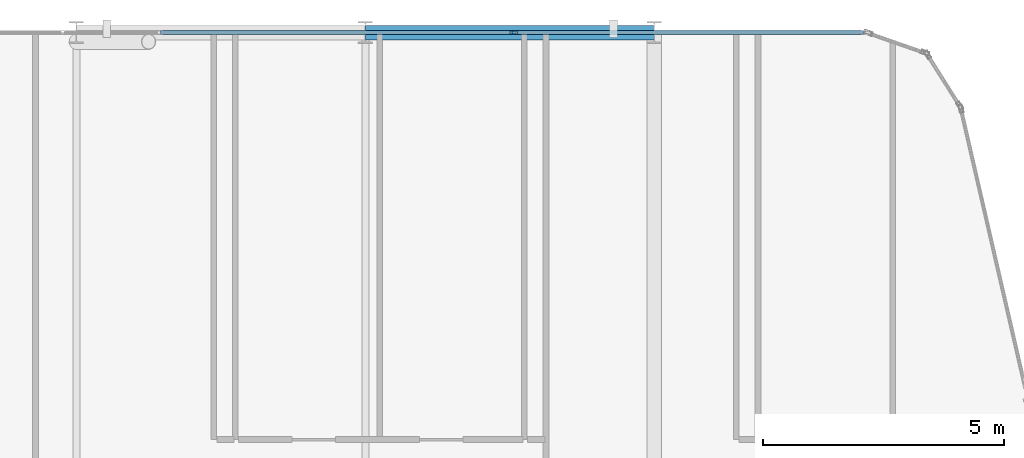
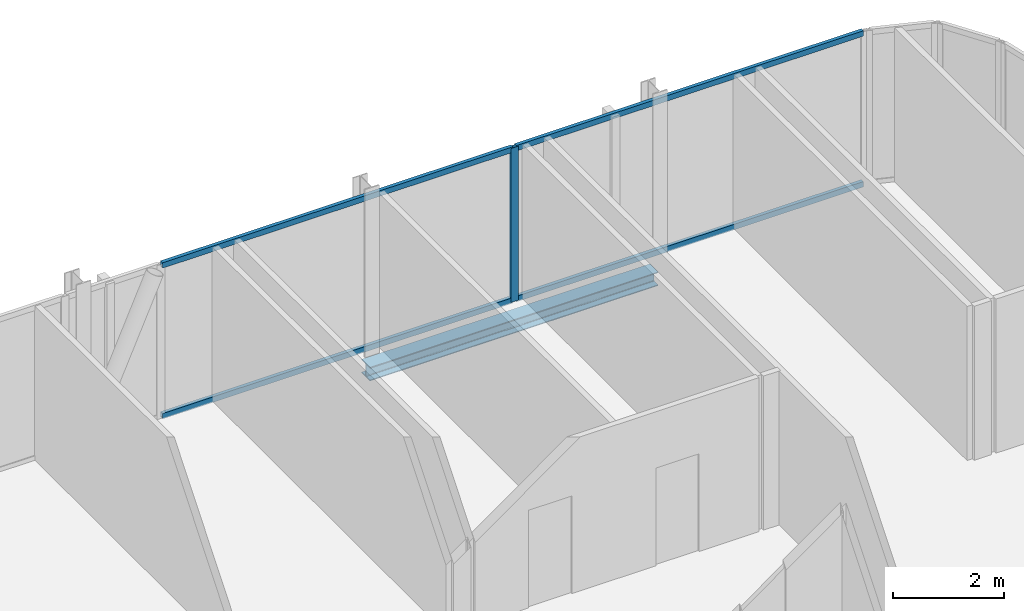
# One storey, part 19 of 29: 5 members, 1 beam, 1 element without a shape of its own.
"""IFC4 building model written with IfcOpenShell, lengths in metres."""

import ifcopenshell
import ifcopenshell.guid

model = None  # the IFC model being written
_history = None  # IfcOwnerHistory: only IFC2X3 demands one
_inside = {}  # id of a spatial element -> (the spatial element, [elements in it])
_under = {}  # id of a project, library or spatial element -> (it, [spatial elements below it])
_declared = {}  # id of a project -> (the project, [libraries it declares])
_typed = {}  # id of a type object -> (the type object, [elements of that type])
_made_of = {}  # id of a material, layer set ... -> (it, [elements and type objects made of it])


def new_model(schema):
    """Start an empty IFC model of exactly this schema.

    Asked for "IFC4X3", IfcOpenShell would pick the latest addendum, in which some entities
    have other attributes; the version numbers below select the first issue.
    IFC2X3 requires an IfcOwnerHistory on every rooted entity: one is made here for all.
    """
    global model, _history
    if schema == "IFC4X3":
        model = ifcopenshell.file(schema_version=(4, 3, 0, 0))
    else:
        model = ifcopenshell.file(schema=schema)
    _inside.clear()
    _under.clear()
    _declared.clear()
    _typed.clear()
    _made_of.clear()
    _history = None
    if model.schema == "IFC2X3":
        org = make("IfcOrganization", Name="unknown")
        user = make(
            "IfcPersonAndOrganization",
            ThePerson=make("IfcPerson", FamilyName="unknown"),
            TheOrganization=org,
        )
        app = make(
            "IfcApplication",
            ApplicationDeveloper=org,
            Version="unknown",
            ApplicationFullName="unknown",
            ApplicationIdentifier="unknown",
        )
        _history = make(
            "IfcOwnerHistory",
            OwningUser=user,
            OwningApplication=app,
            ChangeAction="ADDED",
            CreationDate=0,
        )
    return model


def make(cls, **values):
    """One entity of the class cls with the attributes given. An attribute that is None is left unset."""
    return model.create_entity(
        cls, **{name: value for name, value in values.items() if value is not None}
    )


def rooted(cls, **values):
    """An entity with a GlobalId (a new one), such as an element, a storey or a relation."""
    return make(cls, GlobalId=ifcopenshell.guid.new(), OwnerHistory=_history, **values)


def si_unit(unit_type, name, prefix=None):
    """IfcSIUnit, for example si_unit("LENGTHUNIT", "METRE", prefix="MILLI")."""
    return make("IfcSIUnit", UnitType=unit_type, Prefix=prefix, Name=name)


def assignment(units):
    """IfcUnitAssignment: the units of a project."""
    return None if units is None else make("IfcUnitAssignment", Units=units)


def point(xyz):
    """IfcCartesianPoint."""
    return None if xyz is None else make("IfcCartesianPoint", Coordinates=xyz)


def direction(xyz):
    """IfcDirection."""
    return None if xyz is None else make("IfcDirection", DirectionRatios=xyz)


def frame(location, z_axis=None, x_axis=None):
    """IfcAxis2Placement3D, a coordinate frame: its origin and axes. An axis left out is left unset."""
    return make(
        "IfcAxis2Placement3D",
        Location=point(location),
        Axis=direction(z_axis),
        RefDirection=direction(x_axis),
    )


def frame_2d(location, x_axis=None):
    """IfcAxis2Placement2D, a coordinate frame in the plane: its origin and x axis."""
    return make(
        "IfcAxis2Placement2D", Location=point(location), RefDirection=direction(x_axis)
    )


def origin():
    """The frame at (0, 0, 0) with its axes left unset."""
    return frame((0.0, 0.0, 0.0))


def origin_2d():
    """The frame at (0, 0) in the plane with its x axis left unset."""
    return frame_2d((0.0, 0.0))


def place(relative_to, where):
    """IfcLocalPlacement: puts the frame where relative to a parent placement (None: the world)."""
    return make(
        "IfcLocalPlacement", PlacementRelTo=relative_to, RelativePlacement=where
    )


def context(
    kind, dimensions, precision=None, world=None, true_north=None, identifier=None
):
    """IfcGeometricRepresentationContext, for example the 3D "Model" context."""
    return make(
        "IfcGeometricRepresentationContext",
        ContextIdentifier=identifier,
        ContextType=kind,
        CoordinateSpaceDimension=dimensions,
        Precision=precision,
        WorldCoordinateSystem=world,
        TrueNorth=true_north,
    )


def subcontext(parent, identifier, kind, view, scale=None):
    """IfcGeometricRepresentationSubContext, for example "Body" below "Model"."""
    return make(
        "IfcGeometricRepresentationSubContext",
        ContextIdentifier=identifier,
        ContextType=kind,
        ParentContext=parent,
        TargetScale=scale,
        TargetView=view,
    )


def project(units=None, contexts=None):
    """IfcProject with its units and contexts."""
    return rooted(
        "IfcProject",
        Name="project",
        RepresentationContexts=contexts,
        UnitsInContext=assignment(units),
    )


def spatial(cls, under=None, at=None, **own):
    """A site, building, storey or space (cls), placed at a placement, below another one or the project."""
    s = rooted(cls, ObjectPlacement=at, **own)
    if under is not None:
        _under.setdefault(under.id(), (under, []))[1].append(s)
    return s


def profile(cls, at=None, kind="AREA", **sizes):
    """A parametric profile (cls). Its sizes go by their IFC names, for example OverallWidth=200.0."""
    return make(cls, ProfileType=kind, Position=at, **sizes)


def hollow_rectangle(**sizes):
    """IfcRectangleHollowProfileDef."""
    return profile("IfcRectangleHollowProfileDef", **sizes)


def i_section(**sizes):
    """IfcIShapeProfileDef."""
    return profile("IfcIShapeProfileDef", **sizes)


def extrude(swept, where, along, depth):
    """IfcExtrudedAreaSolid: the profile swept, set in the frame where, extruded along a direction by depth."""
    return make(
        "IfcExtrudedAreaSolid",
        SweptArea=swept,
        Position=where,
        ExtrudedDirection=direction(along),
        Depth=depth,
    )


def shape(context_of_items, identifier, shape_type, items):
    """IfcShapeRepresentation: the items that make up one representation, for example the "Body"."""
    return make(
        "IfcShapeRepresentation",
        ContextOfItems=context_of_items,
        RepresentationIdentifier=identifier,
        RepresentationType=shape_type,
        Items=items,
    )


def material(Name=None, Category=None):
    """IfcMaterial."""
    return make("IfcMaterial", Name=Name, Category=Category)


def layer(
    of_material, thickness, ventilated=None, Name=None, Category=None, Priority=None
):
    """IfcMaterialLayer: one layer of a wall or slab, of a material (None: an air gap)."""
    return make(
        "IfcMaterialLayer",
        Material=of_material,
        LayerThickness=thickness,
        IsVentilated=ventilated,
        Name=Name,
        Category=Category,
        Priority=Priority,
    )


def layer_set(layers, Name=None):
    """IfcMaterialLayerSet."""
    return make("IfcMaterialLayerSet", MaterialLayers=layers, LayerSetName=Name)


def material_profile(
    of_material, cross_section, Name=None, Category=None, Priority=None
):
    """IfcMaterialProfile: a cross section and its material."""
    return make(
        "IfcMaterialProfile",
        Name=Name,
        Material=of_material,
        Profile=cross_section,
        Priority=Priority,
        Category=Category,
    )


def profile_set(profiles, Name=None, composite=None):
    """IfcMaterialProfileSet."""
    return make(
        "IfcMaterialProfileSet",
        Name=Name,
        MaterialProfiles=profiles,
        CompositeProfile=composite,
    )


def made_of(thing, what):
    """Note that an element or type object is made of a material, layer set ...; save() writes the relation."""
    if what is not None:
        _made_of.setdefault(what.id(), (what, []))[1].append(thing)
    return thing


def type_object(cls, material=None, **own):
    """A type object (cls), such as IfcWallType, which elements share."""
    return made_of(rooted(cls, **own), material)


def element(
    cls,
    number,
    at=None,
    inside=None,
    cuts=None,
    type_object=None,
    material=None,
    context=None,
    identifier="Body",
    shape_type=None,
    held_by="IfcProductDefinitionShape",
    body=None,
    shapes=None,
    **own,
):
    """One element of the class cls, such as IfcWall. Its Tag is "e" and its number.

    at: its placement. inside: the storey or other place that contains it. cuts: it is an
    opening in that element (IfcRelVoidsElement). A single representation is given by context,
    identifier, shape_type and body (its items); several are given by shapes. held_by: the class
    of the entity that holds the representations. save() writes the other relations.
    """
    e = rooted(cls, Tag="e%d" % number, ObjectPlacement=at, **own)
    if body is not None:
        shapes = [shape(context, identifier, shape_type, body)]
    if shapes is not None:
        e.Representation = make(held_by, Representations=shapes)
    if inside is not None:
        _inside.setdefault(inside.id(), (inside, []))[1].append(e)
    if cuts is not None:
        rooted(
            "IfcRelVoidsElement", RelatingBuildingElement=cuts, RelatedOpeningElement=e
        )
    if type_object is not None:
        _typed.setdefault(type_object.id(), (type_object, []))[1].append(e)
    return made_of(e, material)


def aggregate(whole, parts):
    """IfcRelAggregates: a whole, such as a stair, and the parts it consists of."""
    return rooted("IfcRelAggregates", RelatingObject=whole, RelatedObjects=parts)


def save(model, path):
    """Write the relations noted so far, then the file.

    IfcRelAggregates (storeys below a building ...), IfcRelContainedInSpatialStructure (elements
    in a storey), IfcRelDefinesByType, IfcRelAssociatesMaterial and IfcRelDeclares: one each for
    every whole, place, type object, material and project.
    """
    for whole, parts in _under.values():
        aggregate(whole, parts)
    for where, things in _inside.values():
        rooted(
            "IfcRelContainedInSpatialStructure",
            RelatedElements=things,
            RelatingStructure=where,
        )
    for kind, things in _typed.values():
        rooted("IfcRelDefinesByType", RelatedObjects=things, RelatingType=kind)
    for what, things in _made_of.values():
        rooted("IfcRelAssociatesMaterial", RelatedObjects=things, RelatingMaterial=what)
    for by, libraries in _declared.values():
        rooted("IfcRelDeclares", RelatingContext=by, RelatedDefinitions=libraries)
    model.write(path)


model = new_model("IFC4")

# Units and contexts
model_context = context("Model", 3, precision=1e-05, world=origin(), true_north=direction((0.0, 1.0)))
body_context = subcontext(model_context, "Body", "Model", "MODEL_VIEW")
ifc_project = project(units=[si_unit("LENGTHUNIT", "METRE"), si_unit("AREAUNIT", "SQUARE_METRE"), si_unit("VOLUMEUNIT", "CUBIC_METRE"), si_unit("PLANEANGLEUNIT", "RADIAN"), si_unit("MASSUNIT", "GRAM", prefix="KILO")], contexts=[model_context])

# Site, building, storey
site_placement = place(None, origin())
site = spatial("IfcSite", under=ifc_project, at=site_placement, CompositionType="ELEMENT")
building_placement = place(site_placement, origin())
building = spatial("IfcBuilding", under=site, at=building_placement, Name="Keshet Zoharim Tower", CompositionType="ELEMENT")
storey_placement = place(building_placement, frame((0.0, 0.0, 195.800048828125)))
storey = spatial("IfcBuildingStorey", under=building, at=storey_placement, Name="L48", CompositionType="ELEMENT", Elevation=195.800048828125)

# Beam
ifc_material_1 = material(Name="Steel S355", Category="steel")
ifc_material_profile_1 = material_profile(ifc_material_1, i_section(OverallWidth=0.300048828125, OverallDepth=0.300048828125, WebThickness=0.010986328125, FlangeThickness=0.01904296875, FilletRadius=0.027099609375, at=origin_2d()), Name="HEB300")
ifc_profile_set_1 = profile_set([ifc_material_profile_1], Name="Steel S355")
beam_type = type_object("IfcBeamType", Name="BM-PRI-HB300", PredefinedType="BEAM", material=ifc_profile_set_1)
beam_placement = place(storey_placement, frame((27.0, 53.89990234375, -0.4599609375), z_axis=(1.0, 0.0, 0.0), x_axis=(0.0, 1.0, 0.0)))
element("IfcBeam", 1, at=beam_placement, inside=storey, type_object=beam_type, Name="L48 Primary Girder X-020", PredefinedType="BEAM", context=body_context, shape_type="SweptSolid", body=[
    extrude(i_section(OverallWidth=0.300048828125, OverallDepth=0.300048828125, WebThickness=0.010986328125, FlangeThickness=0.01904296875, FilletRadius=0.027099609375, at=origin_2d()), origin(), (0.0, 0.0, 1.0), 6.0),
])

# Curtain wall, members
ifc_material_2 = material(Name="Aluminium 6063-T6", Category="aluminium")
ifc_layer = layer(ifc_material_2, 0.139892578125)
ifc_layer_set = layer_set([ifc_layer], Name="Aluminium 6063-T6")
curtain_wall_type = type_object("IfcCurtainWallType", Name="CW-SYS-05", PredefinedType="NOTDEFINED", material=ifc_layer_set)
curtain_wall_placement = place(storey_placement, origin())
curtain_wall = element("IfcCurtainWall", 2, at=curtain_wall_placement, inside=storey, type_object=curtain_wall_type, Name="L48 Unitised Curtain Wall 16 Part 3", PredefinedType="NOTDEFINED")
ifc_material_profile_2 = material_profile(ifc_material_2, hollow_rectangle(XDim=0.074951171875, YDim=0.159912109375, WallThickness=0.00390625, at=origin_2d()), Name="MUL-75x160")
ifc_profile_set_2 = profile_set([ifc_material_profile_2], Name="Aluminium 6063-T6")
member_type_1 = type_object("IfcMemberType", Name="CWM-M15", PredefinedType="MULLION", material=ifc_profile_set_2)
member_1_placement = place(storey_placement, frame((30.07861328125, 53.89990234375, 0.0), z_axis=(0.0, 0.0, 1.0), x_axis=(0.0, 1.0, 0.0)))
member_1 = element("IfcMember", 3, at=member_1_placement, type_object=member_type_1, Name="CW-05 mullion 2", PredefinedType="MULLION", context=body_context, shape_type="SweptSolid", body=[
    extrude(hollow_rectangle(XDim=0.074951171875, YDim=0.159912109375, WallThickness=0.00390625, at=origin_2d()), origin(), (0.0, 0.0, 1.0), 3.389892578125),
])
ifc_material_profile_3 = material_profile(ifc_material_2, hollow_rectangle(XDim=0.074951171875, YDim=0.1201171875, WallThickness=0.00390625, at=origin_2d()), Name="TRN-75x120")
ifc_profile_set_3 = profile_set([ifc_material_profile_3], Name="Aluminium 6063-T6")
member_type_2 = type_object("IfcMemberType", Name="CWT-T12", PredefinedType="USERDEFINED", material=ifc_profile_set_3)
member_2_placement = place(storey_placement, frame((22.748046875, 53.89990234375, 0.034912109375), z_axis=(1.0, 0.0, 0.0), x_axis=(0.0, 1.0, 0.0)))
member_2 = element("IfcMember", 4, at=member_2_placement, type_object=member_type_2, Name="CW-05 transom 1.1", ObjectType="TRANSOM", PredefinedType="USERDEFINED", context=body_context, shape_type="SweptSolid", body=[
    extrude(hollow_rectangle(XDim=0.074951171875, YDim=0.1201171875, WallThickness=0.00390625, at=origin_2d()), origin(), (0.0, 0.0, 1.0), 7.29541015625),
])
member_3_placement = place(storey_placement, frame((22.748046875, 53.89990234375, 3.35498046875), z_axis=(1.0, 0.0, 0.0), x_axis=(0.0, 1.0, 0.0)))
member_3 = element("IfcMember", 5, at=member_3_placement, type_object=member_type_2, Name="CW-05 transom 1.2", ObjectType="TRANSOM", PredefinedType="USERDEFINED", context=body_context, shape_type="SweptSolid", body=[
    extrude(hollow_rectangle(XDim=0.074951171875, YDim=0.1201171875, WallThickness=0.00390625, at=origin_2d()), origin(), (0.0, 0.0, 1.0), 7.29541015625),
])
member_4_placement = place(storey_placement, frame((30.113525390625, 53.89990234375, 0.034912109375), z_axis=(1.0, 0.0, 0.0), x_axis=(0.0, 1.0, 0.0)))
member_4 = element("IfcMember", 6, at=member_4_placement, type_object=member_type_2, Name="CW-05 transom 2.1", ObjectType="TRANSOM", PredefinedType="USERDEFINED", context=body_context, shape_type="SweptSolid", body=[
    extrude(hollow_rectangle(XDim=0.074951171875, YDim=0.1201171875, WallThickness=0.00390625, at=origin_2d()), origin(), (0.0, 0.0, 1.0), 7.2255859375),
])
member_5_placement = place(storey_placement, frame((30.113525390625, 53.89990234375, 3.35498046875), z_axis=(1.0, 0.0, 0.0), x_axis=(0.0, 1.0, 0.0)))
member_5 = element("IfcMember", 7, at=member_5_placement, type_object=member_type_2, Name="CW-05 transom 2.2", ObjectType="TRANSOM", PredefinedType="USERDEFINED", context=body_context, shape_type="SweptSolid", body=[
    extrude(hollow_rectangle(XDim=0.074951171875, YDim=0.1201171875, WallThickness=0.00390625, at=origin_2d()), origin(), (0.0, 0.0, 1.0), 7.2255859375),
])
aggregate(curtain_wall, [member_1, member_2, member_3, member_4, member_5])

save(model, "model.ifc")
